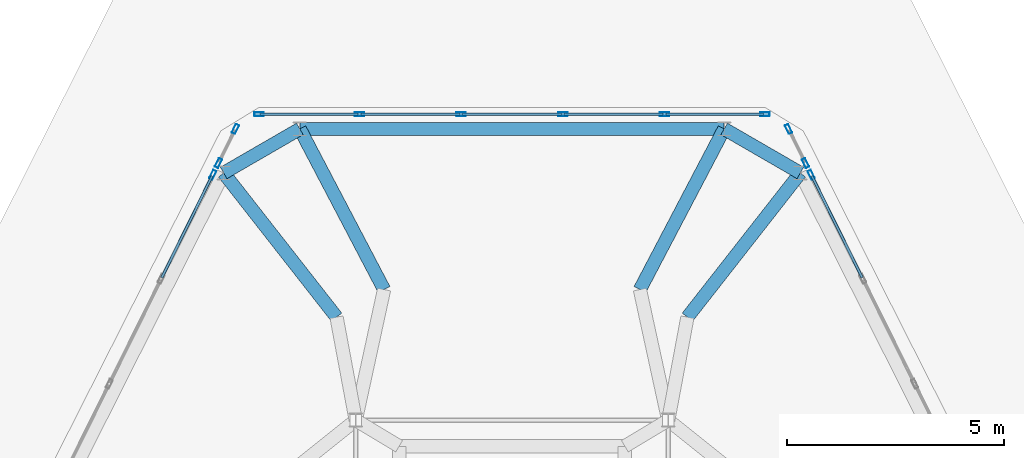
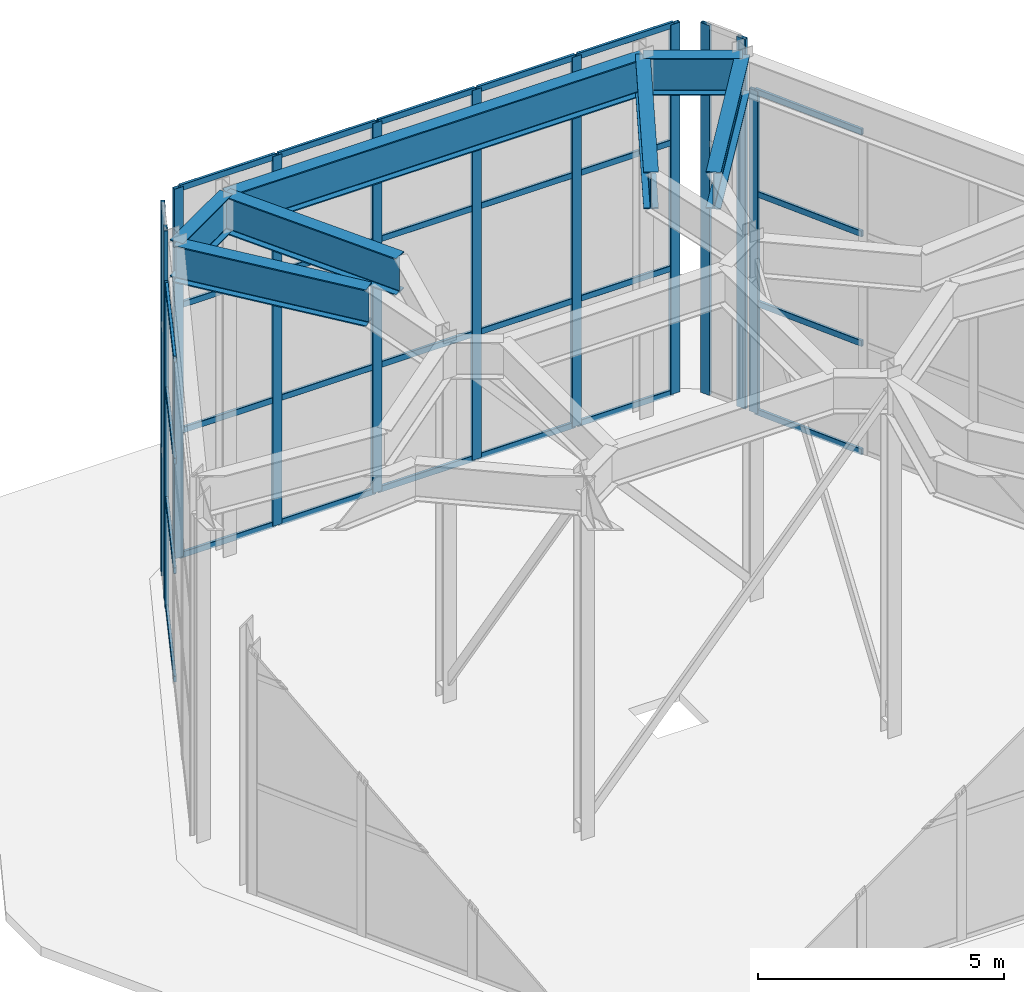
# One storey, part 7 of 9: 40 members, 7 beams, 5 elements without a shape of their own.
"""IFC4 building model written with IfcOpenShell, lengths in metres."""

from ifc_helpers import new_model, si_unit, direction, frame, origin, origin_2d, place, context, subcontext, project, spatial, hollow_rectangle, i_section, extrude, material, layer, layer_set, material_profile, profile_set, type_object, element, aggregate, save


model = new_model("IFC4")

# Units and contexts
model_context = context("Model", 3, precision=1e-05, world=origin(), true_north=direction((0.0, 1.0)))
body_context = subcontext(model_context, "Body", "Model", "MODEL_VIEW")
ifc_project = project(units=[si_unit("LENGTHUNIT", "METRE"), si_unit("AREAUNIT", "SQUARE_METRE"), si_unit("VOLUMEUNIT", "CUBIC_METRE"), si_unit("PLANEANGLEUNIT", "RADIAN"), si_unit("MASSUNIT", "GRAM", prefix="KILO")], contexts=[model_context])

# Site, building, storey
site_placement = place(None, origin())
site = spatial("IfcSite", under=ifc_project, at=site_placement, CompositionType="ELEMENT")
building_placement = place(site_placement, origin())
building = spatial("IfcBuilding", under=site, at=building_placement, Name="Cinnabar Lancet Tower", CompositionType="ELEMENT")
storey_placement = place(building_placement, frame((0.0, 0.0, 323.85009765625)))
storey = spatial("IfcBuildingStorey", under=building, at=storey_placement, Name="L82", CompositionType="ELEMENT", Elevation=323.85009765625)

# Curtain wall, member
ifc_material_1 = material(Name="Thermally broken bronze-anodized aluminium and low-E glass", Category="aluminium")
ifc_layer = layer(ifc_material_1, 0.179931640625)
ifc_layer_set = layer_set([ifc_layer], Name="Thermally broken bronze-anodized aluminium and low-E glass")
curtain_wall_type = type_object("IfcCurtainWallType", Name="ENV-CW-SYS-06", PredefinedType="NOTDEFINED", material=ifc_layer_set)
curtain_wall_1_placement = place(storey_placement, origin())
curtain_wall_1 = element("IfcCurtainWall", 1, at=curtain_wall_1_placement, inside=storey, type_object=curtain_wall_type, Name="L82 Faceted Lancet Crown Curtain Wall 9", PredefinedType="NOTDEFINED")
ifc_material_2 = material(Name="Anodized architectural aluminium 6063-T6", Category="aluminium")
ifc_material_profile_1 = material_profile(ifc_material_2, hollow_rectangle(XDim=0.0849609375, YDim=0.219970703125, WallThickness=0.0048828125, InnerFilletRadius=0.00244140625, OuterFilletRadius=0.007568359375, at=origin_2d()), Name="CW-MUL 220x85x5")
ifc_profile_set_1 = profile_set([ifc_material_profile_1], Name="Anodized architectural aluminium 6063-T6")
member_type_1 = type_object("IfcMemberType", Name="ENV-CW-MUL-220", PredefinedType="MULLION", material=ifc_profile_set_1)
member_1_placement = place(storey_placement, frame((39.29541015625, 34.253173828125, 0.0), z_axis=(0.0, 0.0, 1.0), x_axis=(-0.896196734695, -0.443656863715, 0.0)))
member_1 = element("IfcMember", 2, at=member_1_placement, type_object=member_type_1, Name="CW-06 mullion 4", PredefinedType="MULLION", context=body_context, shape_type="SweptSolid", body=[
    extrude(hollow_rectangle(XDim=0.0849609375, YDim=0.219970703125, WallThickness=0.0048828125, InnerFilletRadius=0.00244140625, OuterFilletRadius=0.007568359375, at=origin_2d()), origin(), (0.0, 0.0, 1.0), 7.996826171875),
])

# Curtain wall, members
curtain_wall_2_placement = place(storey_placement, origin())
curtain_wall_2 = element("IfcCurtainWall", 3, at=curtain_wall_2_placement, inside=storey, type_object=curtain_wall_type, Name="L82 Faceted Lancet Crown Curtain Wall 10", PredefinedType="NOTDEFINED")
member_2_placement = place(storey_placement, frame((39.16162109375, 34.52197265625, 0.0), z_axis=(0.0, 0.0, 1.0), x_axis=(-0.896337400461, -0.443372602374, 0.0)))
member_2 = element("IfcMember", 4, at=member_2_placement, type_object=member_type_1, Name="CW-06 mullion 1", PredefinedType="MULLION", context=body_context, shape_type="SweptSolid", body=[
    extrude(hollow_rectangle(XDim=0.0849609375, YDim=0.219970703125, WallThickness=0.0048828125, InnerFilletRadius=0.00244140625, OuterFilletRadius=0.007568359375, at=origin_2d()), origin(), (0.0, 0.0, 1.0), 9.1748046875),
])
member_3_placement = place(storey_placement, frame((38.772216796875, 35.30908203125, 0.0), z_axis=(0.0, 0.0, 1.0), x_axis=(-0.896337400461, -0.443372602374, 0.0)))
member_3 = element("IfcMember", 5, at=member_3_placement, type_object=member_type_1, Name="CW-06 mullion 2", PredefinedType="MULLION", context=body_context, shape_type="SweptSolid", body=[
    extrude(hollow_rectangle(XDim=0.0849609375, YDim=0.219970703125, WallThickness=0.0048828125, InnerFilletRadius=0.00244140625, OuterFilletRadius=0.007568359375, at=origin_2d()), origin(), (0.0, 0.0, 1.0), 9.1748046875),
])
aggregate(curtain_wall_2, [member_2, member_3])

curtain_wall_3_placement = place(storey_placement, origin())
curtain_wall_3 = element("IfcCurtainWall", 6, at=curtain_wall_3_placement, inside=storey, type_object=curtain_wall_type, Name="L82 Faceted Lancet Crown Curtain Wall 12", PredefinedType="NOTDEFINED")
member_4_placement = place(storey_placement, frame((38.22412109375, 35.64990234375, 0.0), z_axis=(0.0, 0.0, 1.0), x_axis=(0.0, -1.0, 0.0)))
member_4 = element("IfcMember", 7, at=member_4_placement, type_object=member_type_1, Name="CW-06 mullion 1", PredefinedType="MULLION", context=body_context, shape_type="SweptSolid", body=[
    extrude(hollow_rectangle(XDim=0.0849609375, YDim=0.219970703125, WallThickness=0.0048828125, InnerFilletRadius=0.00244140625, OuterFilletRadius=0.007568359375, at=origin_2d()), origin(), (0.0, 0.0, 1.0), 9.1748046875),
])
member_5_placement = place(storey_placement, frame((35.912353515625, 35.64990234375, 0.0), z_axis=(0.0, 0.0, 1.0), x_axis=(0.0, -1.0, 0.0)))
member_5 = element("IfcMember", 8, at=member_5_placement, type_object=member_type_1, Name="CW-06 mullion 2", PredefinedType="MULLION", context=body_context, shape_type="SweptSolid", body=[
    extrude(hollow_rectangle(XDim=0.0849609375, YDim=0.219970703125, WallThickness=0.0048828125, InnerFilletRadius=0.00244140625, OuterFilletRadius=0.007568359375, at=origin_2d()), origin(), (0.0, 0.0, 1.0), 9.1748046875),
])
member_6_placement = place(storey_placement, frame((33.57080078125, 35.64990234375, 0.0), z_axis=(0.0, 0.0, 1.0), x_axis=(0.0, -1.0, 0.0)))
member_6 = element("IfcMember", 9, at=member_6_placement, type_object=member_type_1, Name="CW-06 mullion 3", PredefinedType="MULLION", context=body_context, shape_type="SweptSolid", body=[
    extrude(hollow_rectangle(XDim=0.0849609375, YDim=0.219970703125, WallThickness=0.0048828125, InnerFilletRadius=0.00244140625, OuterFilletRadius=0.007568359375, at=origin_2d()), origin(), (0.0, 0.0, 1.0), 9.1748046875),
])
member_7_placement = place(storey_placement, frame((31.229248046875, 35.64990234375, 0.0), z_axis=(0.0, 0.0, 1.0), x_axis=(0.0, -1.0, 0.0)))
member_7 = element("IfcMember", 10, at=member_7_placement, type_object=member_type_1, Name="CW-06 mullion 4", PredefinedType="MULLION", context=body_context, shape_type="SweptSolid", body=[
    extrude(hollow_rectangle(XDim=0.0849609375, YDim=0.219970703125, WallThickness=0.0048828125, InnerFilletRadius=0.00244140625, OuterFilletRadius=0.007568359375, at=origin_2d()), origin(), (0.0, 0.0, 1.0), 9.1748046875),
])
member_8_placement = place(storey_placement, frame((28.8876953125, 35.64990234375, 0.0), z_axis=(0.0, 0.0, 1.0), x_axis=(0.0, -1.0, 0.0)))
member_8 = element("IfcMember", 11, at=member_8_placement, type_object=member_type_1, Name="CW-06 mullion 5", PredefinedType="MULLION", context=body_context, shape_type="SweptSolid", body=[
    extrude(hollow_rectangle(XDim=0.0849609375, YDim=0.219970703125, WallThickness=0.0048828125, InnerFilletRadius=0.00244140625, OuterFilletRadius=0.007568359375, at=origin_2d()), origin(), (0.0, 0.0, 1.0), 9.1748046875),
])
member_9_placement = place(storey_placement, frame((26.575927734375, 35.64990234375, 0.0), z_axis=(0.0, 0.0, 1.0), x_axis=(0.0, -1.0, 0.0)))
member_9 = element("IfcMember", 12, at=member_9_placement, type_object=member_type_1, Name="CW-06 mullion 6", PredefinedType="MULLION", context=body_context, shape_type="SweptSolid", body=[
    extrude(hollow_rectangle(XDim=0.0849609375, YDim=0.219970703125, WallThickness=0.0048828125, InnerFilletRadius=0.00244140625, OuterFilletRadius=0.007568359375, at=origin_2d()), origin(), (0.0, 0.0, 1.0), 9.1748046875),
])

curtain_wall_4_placement = place(storey_placement, origin())
curtain_wall_4 = element("IfcCurtainWall", 13, at=curtain_wall_4_placement, inside=storey, type_object=curtain_wall_type, Name="L82 Faceted Lancet Crown Curtain Wall 14", PredefinedType="NOTDEFINED")
member_10_placement = place(storey_placement, frame((26.027587890625, 35.30908203125, 0.0), z_axis=(0.0, 0.0, 1.0), x_axis=(0.896337400461, -0.443372602374, 0.0)))
member_10 = element("IfcMember", 14, at=member_10_placement, type_object=member_type_1, Name="CW-06 mullion 1", PredefinedType="MULLION", context=body_context, shape_type="SweptSolid", body=[
    extrude(hollow_rectangle(XDim=0.0849609375, YDim=0.219970703125, WallThickness=0.0048828125, InnerFilletRadius=0.00244140625, OuterFilletRadius=0.007568359375, at=origin_2d()), origin(), (0.0, 0.0, 1.0), 9.1748046875),
])
member_11_placement = place(storey_placement, frame((25.63818359375, 34.52197265625, 0.0), z_axis=(0.0, 0.0, 1.0), x_axis=(0.896337400461, -0.443372602374, 0.0)))
member_11 = element("IfcMember", 15, at=member_11_placement, type_object=member_type_1, Name="CW-06 mullion 2", PredefinedType="MULLION", context=body_context, shape_type="SweptSolid", body=[
    extrude(hollow_rectangle(XDim=0.0849609375, YDim=0.219970703125, WallThickness=0.0048828125, InnerFilletRadius=0.00244140625, OuterFilletRadius=0.007568359375, at=origin_2d()), origin(), (0.0, 0.0, 1.0), 9.1748046875),
])
aggregate(curtain_wall_4, [member_10, member_11])

# Curtain wall, member
curtain_wall_5_placement = place(storey_placement, origin())
curtain_wall_5 = element("IfcCurtainWall", 16, at=curtain_wall_5_placement, inside=storey, type_object=curtain_wall_type, Name="L82 Faceted Lancet Crown Curtain Wall 15", PredefinedType="NOTDEFINED")
member_12_placement = place(storey_placement, frame((25.504638671875, 34.253173828125, 0.0), z_axis=(0.0, 0.0, 1.0), x_axis=(0.896196734695, -0.443656863715, 0.0)))
member_12 = element("IfcMember", 17, at=member_12_placement, type_object=member_type_1, Name="CW-06 mullion 1", PredefinedType="MULLION", context=body_context, shape_type="SweptSolid", body=[
    extrude(hollow_rectangle(XDim=0.0849609375, YDim=0.219970703125, WallThickness=0.0048828125, InnerFilletRadius=0.00244140625, OuterFilletRadius=0.007568359375, at=origin_2d()), origin(), (0.0, 0.0, 1.0), 7.996826171875),
])

# Member
ifc_material_3 = material(Name="Anodized architectural aluminium 6063-T6", Category="aluminium")
ifc_material_profile_2 = material_profile(ifc_material_3, hollow_rectangle(XDim=0.06494140625, YDim=0.14990234375, WallThickness=0.00390625, InnerFilletRadius=0.001953125, OuterFilletRadius=0.006103515625, at=origin_2d()), Name="CW-TRN 150x65x4")
ifc_profile_set_2 = profile_set([ifc_material_profile_2], Name="Anodized architectural aluminium 6063-T6")
member_type_2 = type_object("IfcMemberType", Name="ENV-CW-TRN-160", PredefinedType="USERDEFINED", material=ifc_profile_set_2)
member_13_placement = place(storey_placement, frame((40.46728515625, 31.885498046875, 0.02978515625), z_axis=(-0.443620649138, 0.896214661595, 0.0), x_axis=(-0.896214661595, -0.443620649138, 0.0)))
member_13 = element("IfcMember", 18, at=member_13_placement, type_object=member_type_2, Name="CW-06 transom 3.1", ObjectType="TRANSOM", PredefinedType="USERDEFINED", context=body_context, shape_type="SweptSolid", body=[
    extrude(hollow_rectangle(XDim=0.06494140625, YDim=0.14990234375, WallThickness=0.00390625, InnerFilletRadius=0.001953125, OuterFilletRadius=0.006103515625, at=origin_2d()), origin(), (0.0, 0.0, 1.0), 2.61181640625),
])

member_14_placement = place(storey_placement, frame((40.46728515625, 31.885498046875, 2.718994140625), z_axis=(-0.443620649138, 0.896214661595, 0.0), x_axis=(-0.896214661595, -0.443620649138, 0.0)))
member_14 = element("IfcMember", 19, at=member_14_placement, type_object=member_type_2, Name="CW-06 transom 3.2", ObjectType="TRANSOM", PredefinedType="USERDEFINED", context=body_context, shape_type="SweptSolid", body=[
    extrude(hollow_rectangle(XDim=0.06494140625, YDim=0.14990234375, WallThickness=0.00390625, InnerFilletRadius=0.001953125, OuterFilletRadius=0.006103515625, at=origin_2d()), origin(), (0.0, 0.0, 1.0), 2.61181640625),
])

member_15_placement = place(storey_placement, frame((40.46728515625, 31.885498046875, 5.43798828125), z_axis=(-0.443620649138, 0.896214661595, 0.0), x_axis=(-0.896214661595, -0.443620649138, 0.0)))
member_15 = element("IfcMember", 20, at=member_15_placement, type_object=member_type_2, Name="CW-06 transom 3.3", ObjectType="TRANSOM", PredefinedType="USERDEFINED", context=body_context, shape_type="SweptSolid", body=[
    extrude(hollow_rectangle(XDim=0.06494140625, YDim=0.14990234375, WallThickness=0.00390625, InnerFilletRadius=0.001953125, OuterFilletRadius=0.006103515625, at=origin_2d()), origin(), (0.0, 0.0, 1.0), 2.61181640625),
])

member_16_placement = place(storey_placement, frame((40.46728515625, 31.885498046875, 7.966796875), z_axis=(-0.443620649138, 0.896214661595, 0.0), x_axis=(-0.896214661595, -0.443620649138, 0.0)))
member_16 = element("IfcMember", 21, at=member_16_placement, type_object=member_type_2, Name="CW-06 transom 3.4", ObjectType="TRANSOM", PredefinedType="USERDEFINED", context=body_context, shape_type="SweptSolid", body=[
    extrude(hollow_rectangle(XDim=0.06494140625, YDim=0.14990234375, WallThickness=0.00390625, InnerFilletRadius=0.001953125, OuterFilletRadius=0.006103515625, at=origin_2d()), origin(), (0.0, 0.0, 1.0), 2.61181640625),
])

aggregate(curtain_wall_1, [member_1, member_13, member_14, member_15, member_16])

member_17_placement = place(storey_placement, frame((38.194091796875, 35.64990234375, 0.02978515625), z_axis=(-1.0, 0.0, 0.0), x_axis=(0.0, -1.0, 0.0)))
member_17 = element("IfcMember", 22, at=member_17_placement, type_object=member_type_2, Name="CW-06 transom 1.1", ObjectType="TRANSOM", PredefinedType="USERDEFINED", context=body_context, shape_type="SweptSolid", body=[
    extrude(hollow_rectangle(XDim=0.06494140625, YDim=0.14990234375, WallThickness=0.00390625, InnerFilletRadius=0.001953125, OuterFilletRadius=0.006103515625, at=origin_2d()), origin(), (0.0, 0.0, 1.0), 2.251708984375),
])

member_18_placement = place(storey_placement, frame((38.194091796875, 35.64990234375, 3.118896484375), z_axis=(-1.0, 0.0, 0.0), x_axis=(0.0, -1.0, 0.0)))
member_18 = element("IfcMember", 23, at=member_18_placement, type_object=member_type_2, Name="CW-06 transom 1.2", ObjectType="TRANSOM", PredefinedType="USERDEFINED", context=body_context, shape_type="SweptSolid", body=[
    extrude(hollow_rectangle(XDim=0.06494140625, YDim=0.14990234375, WallThickness=0.00390625, InnerFilletRadius=0.001953125, OuterFilletRadius=0.006103515625, at=origin_2d()), origin(), (0.0, 0.0, 1.0), 2.251708984375),
])

member_19_placement = place(storey_placement, frame((38.194091796875, 35.64990234375, 6.239013671875), z_axis=(-1.0, 0.0, 0.0), x_axis=(0.0, -1.0, 0.0)))
member_19 = element("IfcMember", 24, at=member_19_placement, type_object=member_type_2, Name="CW-06 transom 1.3", ObjectType="TRANSOM", PredefinedType="USERDEFINED", context=body_context, shape_type="SweptSolid", body=[
    extrude(hollow_rectangle(XDim=0.06494140625, YDim=0.14990234375, WallThickness=0.00390625, InnerFilletRadius=0.001953125, OuterFilletRadius=0.006103515625, at=origin_2d()), origin(), (0.0, 0.0, 1.0), 2.251708984375),
])

member_20_placement = place(storey_placement, frame((38.194091796875, 35.64990234375, 9.14501953125), z_axis=(-1.0, 0.0, 0.0), x_axis=(0.0, -1.0, 0.0)))
member_20 = element("IfcMember", 25, at=member_20_placement, type_object=member_type_2, Name="CW-06 transom 1.4", ObjectType="TRANSOM", PredefinedType="USERDEFINED", context=body_context, shape_type="SweptSolid", body=[
    extrude(hollow_rectangle(XDim=0.06494140625, YDim=0.14990234375, WallThickness=0.00390625, InnerFilletRadius=0.001953125, OuterFilletRadius=0.006103515625, at=origin_2d()), origin(), (0.0, 0.0, 1.0), 2.251708984375),
])

member_21_placement = place(storey_placement, frame((35.88232421875, 35.64990234375, 0.02978515625), z_axis=(-1.0, 0.0, 0.0), x_axis=(0.0, -1.0, 0.0)))
member_21 = element("IfcMember", 26, at=member_21_placement, type_object=member_type_2, Name="CW-06 transom 2.1", ObjectType="TRANSOM", PredefinedType="USERDEFINED", context=body_context, shape_type="SweptSolid", body=[
    extrude(hollow_rectangle(XDim=0.06494140625, YDim=0.14990234375, WallThickness=0.00390625, InnerFilletRadius=0.001953125, OuterFilletRadius=0.006103515625, at=origin_2d()), origin(), (0.0, 0.0, 1.0), 2.281494140625),
])

member_22_placement = place(storey_placement, frame((35.88232421875, 35.64990234375, 3.118896484375), z_axis=(-1.0, 0.0, 0.0), x_axis=(0.0, -1.0, 0.0)))
member_22 = element("IfcMember", 27, at=member_22_placement, type_object=member_type_2, Name="CW-06 transom 2.2", ObjectType="TRANSOM", PredefinedType="USERDEFINED", context=body_context, shape_type="SweptSolid", body=[
    extrude(hollow_rectangle(XDim=0.06494140625, YDim=0.14990234375, WallThickness=0.00390625, InnerFilletRadius=0.001953125, OuterFilletRadius=0.006103515625, at=origin_2d()), origin(), (0.0, 0.0, 1.0), 2.281494140625),
])

member_23_placement = place(storey_placement, frame((35.88232421875, 35.64990234375, 6.239013671875), z_axis=(-1.0, 0.0, 0.0), x_axis=(0.0, -1.0, 0.0)))
member_23 = element("IfcMember", 28, at=member_23_placement, type_object=member_type_2, Name="CW-06 transom 2.3", ObjectType="TRANSOM", PredefinedType="USERDEFINED", context=body_context, shape_type="SweptSolid", body=[
    extrude(hollow_rectangle(XDim=0.06494140625, YDim=0.14990234375, WallThickness=0.00390625, InnerFilletRadius=0.001953125, OuterFilletRadius=0.006103515625, at=origin_2d()), origin(), (0.0, 0.0, 1.0), 2.281494140625),
])

member_24_placement = place(storey_placement, frame((35.88232421875, 35.64990234375, 9.14501953125), z_axis=(-1.0, 0.0, 0.0), x_axis=(0.0, -1.0, 0.0)))
member_24 = element("IfcMember", 29, at=member_24_placement, type_object=member_type_2, Name="CW-06 transom 2.4", ObjectType="TRANSOM", PredefinedType="USERDEFINED", context=body_context, shape_type="SweptSolid", body=[
    extrude(hollow_rectangle(XDim=0.06494140625, YDim=0.14990234375, WallThickness=0.00390625, InnerFilletRadius=0.001953125, OuterFilletRadius=0.006103515625, at=origin_2d()), origin(), (0.0, 0.0, 1.0), 2.281494140625),
])

member_25_placement = place(storey_placement, frame((33.540771484375, 35.64990234375, 0.02978515625), z_axis=(-1.0, 0.0, 0.0), x_axis=(0.0, -1.0, 0.0)))
member_25 = element("IfcMember", 30, at=member_25_placement, type_object=member_type_2, Name="CW-06 transom 3.1", ObjectType="TRANSOM", PredefinedType="USERDEFINED", context=body_context, shape_type="SweptSolid", body=[
    extrude(hollow_rectangle(XDim=0.06494140625, YDim=0.14990234375, WallThickness=0.00390625, InnerFilletRadius=0.001953125, OuterFilletRadius=0.006103515625, at=origin_2d()), origin(), (0.0, 0.0, 1.0), 2.281494140625),
])

member_26_placement = place(storey_placement, frame((33.540771484375, 35.64990234375, 3.118896484375), z_axis=(-1.0, 0.0, 0.0), x_axis=(0.0, -1.0, 0.0)))
member_26 = element("IfcMember", 31, at=member_26_placement, type_object=member_type_2, Name="CW-06 transom 3.2", ObjectType="TRANSOM", PredefinedType="USERDEFINED", context=body_context, shape_type="SweptSolid", body=[
    extrude(hollow_rectangle(XDim=0.06494140625, YDim=0.14990234375, WallThickness=0.00390625, InnerFilletRadius=0.001953125, OuterFilletRadius=0.006103515625, at=origin_2d()), origin(), (0.0, 0.0, 1.0), 2.281494140625),
])

member_27_placement = place(storey_placement, frame((33.540771484375, 35.64990234375, 6.239013671875), z_axis=(-1.0, 0.0, 0.0), x_axis=(0.0, -1.0, 0.0)))
member_27 = element("IfcMember", 32, at=member_27_placement, type_object=member_type_2, Name="CW-06 transom 3.3", ObjectType="TRANSOM", PredefinedType="USERDEFINED", context=body_context, shape_type="SweptSolid", body=[
    extrude(hollow_rectangle(XDim=0.06494140625, YDim=0.14990234375, WallThickness=0.00390625, InnerFilletRadius=0.001953125, OuterFilletRadius=0.006103515625, at=origin_2d()), origin(), (0.0, 0.0, 1.0), 2.281494140625),
])

member_28_placement = place(storey_placement, frame((33.540771484375, 35.64990234375, 9.14501953125), z_axis=(-1.0, 0.0, 0.0), x_axis=(0.0, -1.0, 0.0)))
member_28 = element("IfcMember", 33, at=member_28_placement, type_object=member_type_2, Name="CW-06 transom 3.4", ObjectType="TRANSOM", PredefinedType="USERDEFINED", context=body_context, shape_type="SweptSolid", body=[
    extrude(hollow_rectangle(XDim=0.06494140625, YDim=0.14990234375, WallThickness=0.00390625, InnerFilletRadius=0.001953125, OuterFilletRadius=0.006103515625, at=origin_2d()), origin(), (0.0, 0.0, 1.0), 2.281494140625),
])

member_29_placement = place(storey_placement, frame((31.19921875, 35.64990234375, 0.02978515625), z_axis=(-1.0, 0.0, 0.0), x_axis=(0.0, -1.0, 0.0)))
member_29 = element("IfcMember", 34, at=member_29_placement, type_object=member_type_2, Name="CW-06 transom 4.1", ObjectType="TRANSOM", PredefinedType="USERDEFINED", context=body_context, shape_type="SweptSolid", body=[
    extrude(hollow_rectangle(XDim=0.06494140625, YDim=0.14990234375, WallThickness=0.00390625, InnerFilletRadius=0.001953125, OuterFilletRadius=0.006103515625, at=origin_2d()), origin(), (0.0, 0.0, 1.0), 2.28173828125),
])

member_30_placement = place(storey_placement, frame((31.19921875, 35.64990234375, 3.118896484375), z_axis=(-1.0, 0.0, 0.0), x_axis=(0.0, -1.0, 0.0)))
member_30 = element("IfcMember", 35, at=member_30_placement, type_object=member_type_2, Name="CW-06 transom 4.2", ObjectType="TRANSOM", PredefinedType="USERDEFINED", context=body_context, shape_type="SweptSolid", body=[
    extrude(hollow_rectangle(XDim=0.06494140625, YDim=0.14990234375, WallThickness=0.00390625, InnerFilletRadius=0.001953125, OuterFilletRadius=0.006103515625, at=origin_2d()), origin(), (0.0, 0.0, 1.0), 2.28173828125),
])

member_31_placement = place(storey_placement, frame((31.19921875, 35.64990234375, 6.239013671875), z_axis=(-1.0, 0.0, 0.0), x_axis=(0.0, -1.0, 0.0)))
member_31 = element("IfcMember", 36, at=member_31_placement, type_object=member_type_2, Name="CW-06 transom 4.3", ObjectType="TRANSOM", PredefinedType="USERDEFINED", context=body_context, shape_type="SweptSolid", body=[
    extrude(hollow_rectangle(XDim=0.06494140625, YDim=0.14990234375, WallThickness=0.00390625, InnerFilletRadius=0.001953125, OuterFilletRadius=0.006103515625, at=origin_2d()), origin(), (0.0, 0.0, 1.0), 2.28173828125),
])

member_32_placement = place(storey_placement, frame((31.19921875, 35.64990234375, 9.14501953125), z_axis=(-1.0, 0.0, 0.0), x_axis=(0.0, -1.0, 0.0)))
member_32 = element("IfcMember", 37, at=member_32_placement, type_object=member_type_2, Name="CW-06 transom 4.4", ObjectType="TRANSOM", PredefinedType="USERDEFINED", context=body_context, shape_type="SweptSolid", body=[
    extrude(hollow_rectangle(XDim=0.06494140625, YDim=0.14990234375, WallThickness=0.00390625, InnerFilletRadius=0.001953125, OuterFilletRadius=0.006103515625, at=origin_2d()), origin(), (0.0, 0.0, 1.0), 2.28173828125),
])

member_33_placement = place(storey_placement, frame((28.857666015625, 35.64990234375, 0.02978515625), z_axis=(-1.0, 0.0, 0.0), x_axis=(0.0, -1.0, 0.0)))
member_33 = element("IfcMember", 38, at=member_33_placement, type_object=member_type_2, Name="CW-06 transom 5.1", ObjectType="TRANSOM", PredefinedType="USERDEFINED", context=body_context, shape_type="SweptSolid", body=[
    extrude(hollow_rectangle(XDim=0.06494140625, YDim=0.14990234375, WallThickness=0.00390625, InnerFilletRadius=0.001953125, OuterFilletRadius=0.006103515625, at=origin_2d()), origin(), (0.0, 0.0, 1.0), 2.251708984375),
])

member_34_placement = place(storey_placement, frame((28.857666015625, 35.64990234375, 3.118896484375), z_axis=(-1.0, 0.0, 0.0), x_axis=(0.0, -1.0, 0.0)))
member_34 = element("IfcMember", 39, at=member_34_placement, type_object=member_type_2, Name="CW-06 transom 5.2", ObjectType="TRANSOM", PredefinedType="USERDEFINED", context=body_context, shape_type="SweptSolid", body=[
    extrude(hollow_rectangle(XDim=0.06494140625, YDim=0.14990234375, WallThickness=0.00390625, InnerFilletRadius=0.001953125, OuterFilletRadius=0.006103515625, at=origin_2d()), origin(), (0.0, 0.0, 1.0), 2.251708984375),
])

member_35_placement = place(storey_placement, frame((28.857666015625, 35.64990234375, 6.239013671875), z_axis=(-1.0, 0.0, 0.0), x_axis=(0.0, -1.0, 0.0)))
member_35 = element("IfcMember", 40, at=member_35_placement, type_object=member_type_2, Name="CW-06 transom 5.3", ObjectType="TRANSOM", PredefinedType="USERDEFINED", context=body_context, shape_type="SweptSolid", body=[
    extrude(hollow_rectangle(XDim=0.06494140625, YDim=0.14990234375, WallThickness=0.00390625, InnerFilletRadius=0.001953125, OuterFilletRadius=0.006103515625, at=origin_2d()), origin(), (0.0, 0.0, 1.0), 2.251708984375),
])

member_36_placement = place(storey_placement, frame((28.857666015625, 35.64990234375, 9.14501953125), z_axis=(-1.0, 0.0, 0.0), x_axis=(0.0, -1.0, 0.0)))
member_36 = element("IfcMember", 41, at=member_36_placement, type_object=member_type_2, Name="CW-06 transom 5.4", ObjectType="TRANSOM", PredefinedType="USERDEFINED", context=body_context, shape_type="SweptSolid", body=[
    extrude(hollow_rectangle(XDim=0.06494140625, YDim=0.14990234375, WallThickness=0.00390625, InnerFilletRadius=0.001953125, OuterFilletRadius=0.006103515625, at=origin_2d()), origin(), (0.0, 0.0, 1.0), 2.251708984375),
])

aggregate(curtain_wall_3, [member_4, member_5, member_6, member_7, member_8, member_9, member_17, member_18, member_19, member_20, member_21, member_22, member_23, member_24, member_25, member_26, member_27, member_28, member_29, member_30, member_31, member_32, member_33, member_34, member_35, member_36])

member_37_placement = place(storey_placement, frame((25.491455078125, 34.226318359375, 0.02978515625), z_axis=(-0.443620649138, -0.896214661595, 0.0), x_axis=(0.896214661595, -0.443620649138, 0.0)))
member_37 = element("IfcMember", 42, at=member_37_placement, type_object=member_type_2, Name="CW-06 transom 1.1", ObjectType="TRANSOM", PredefinedType="USERDEFINED", context=body_context, shape_type="SweptSolid", body=[
    extrude(hollow_rectangle(XDim=0.06494140625, YDim=0.14990234375, WallThickness=0.00390625, InnerFilletRadius=0.001953125, OuterFilletRadius=0.006103515625, at=origin_2d()), origin(), (0.0, 0.0, 1.0), 2.61181640625),
])

member_38_placement = place(storey_placement, frame((25.491455078125, 34.226318359375, 2.718994140625), z_axis=(-0.443620649138, -0.896214661595, 0.0), x_axis=(0.896214661595, -0.443620649138, 0.0)))
member_38 = element("IfcMember", 43, at=member_38_placement, type_object=member_type_2, Name="CW-06 transom 1.2", ObjectType="TRANSOM", PredefinedType="USERDEFINED", context=body_context, shape_type="SweptSolid", body=[
    extrude(hollow_rectangle(XDim=0.06494140625, YDim=0.14990234375, WallThickness=0.00390625, InnerFilletRadius=0.001953125, OuterFilletRadius=0.006103515625, at=origin_2d()), origin(), (0.0, 0.0, 1.0), 2.61181640625),
])

member_39_placement = place(storey_placement, frame((25.491455078125, 34.226318359375, 5.43798828125), z_axis=(-0.443620649138, -0.896214661595, 0.0), x_axis=(0.896214661595, -0.443620649138, 0.0)))
member_39 = element("IfcMember", 44, at=member_39_placement, type_object=member_type_2, Name="CW-06 transom 1.3", ObjectType="TRANSOM", PredefinedType="USERDEFINED", context=body_context, shape_type="SweptSolid", body=[
    extrude(hollow_rectangle(XDim=0.06494140625, YDim=0.14990234375, WallThickness=0.00390625, InnerFilletRadius=0.001953125, OuterFilletRadius=0.006103515625, at=origin_2d()), origin(), (0.0, 0.0, 1.0), 2.61181640625),
])

member_40_placement = place(storey_placement, frame((25.491455078125, 34.226318359375, 7.966796875), z_axis=(-0.443620649138, -0.896214661595, 0.0), x_axis=(0.896214661595, -0.443620649138, 0.0)))
member_40 = element("IfcMember", 45, at=member_40_placement, type_object=member_type_2, Name="CW-06 transom 1.4", ObjectType="TRANSOM", PredefinedType="USERDEFINED", context=body_context, shape_type="SweptSolid", body=[
    extrude(hollow_rectangle(XDim=0.06494140625, YDim=0.14990234375, WallThickness=0.00390625, InnerFilletRadius=0.001953125, OuterFilletRadius=0.006103515625, at=origin_2d()), origin(), (0.0, 0.0, 1.0), 2.61181640625),
])

aggregate(curtain_wall_5, [member_12, member_37, member_38, member_39, member_40])

# Beams
ifc_material_4 = material(Name="Structural steel S355", Category="steel")
ifc_material_profile_3 = material_profile(ifc_material_4, i_section(OverallWidth=0.305419921875, OverallDepth=0.91845703125, WebThickness=0.017333984375, FlangeThickness=0.02783203125, FilletRadius=0.01904296875, at=origin_2d()), Name="UKB 914x305x253")
ifc_profile_set_3 = profile_set([ifc_material_profile_3], Name="Structural steel S355")
beam_type = type_object("IfcBeamType", Name="STR-BM-UKB914-253", PredefinedType="BEAM", material=ifc_profile_set_3)
beam_1_placement = place(storey_placement, frame((39.04296875, 34.2958984375, 8.4658203125), z_axis=(-0.865607614277, 0.500722935471, 0.0), x_axis=(-0.500722935471, -0.865607614277, 0.0)))
element("IfcBeam", 46, at=beam_1_placement, inside=storey, type_object=beam_type, Name="L83 Setback Outer Ring Girder 6", PredefinedType="BEAM", context=body_context, shape_type="SweptSolid", body=[
    extrude(i_section(OverallWidth=0.305419921875, OverallDepth=0.91845703125, WebThickness=0.017333984375, FlangeThickness=0.02783203125, FilletRadius=0.01904296875, at=origin_2d()), origin(), (0.0, 0.0, 1.0), 2.02734375),
])
beam_2_placement = place(storey_placement, frame((37.2880859375, 35.31103515625, 8.4658203125), z_axis=(-1.0, 0.0, 0.0), x_axis=(0.0, -1.0, 0.0)))
element("IfcBeam", 47, at=beam_2_placement, inside=storey, type_object=beam_type, Name="L83 Setback Outer Ring Girder 7", PredefinedType="BEAM", context=body_context, shape_type="SweptSolid", body=[
    extrude(i_section(OverallWidth=0.305419921875, OverallDepth=0.91845703125, WebThickness=0.017333984375, FlangeThickness=0.02783203125, FilletRadius=0.01904296875, at=origin_2d()), origin(), (0.0, 0.0, 1.0), 9.776123046875),
])
beam_3_placement = place(storey_placement, frame((27.511962890625, 35.31103515625, 8.4658203125), z_axis=(-0.865607614277, -0.500722935471, 0.0), x_axis=(0.500722935471, -0.865607614277, 0.0)))
element("IfcBeam", 48, at=beam_3_placement, inside=storey, type_object=beam_type, Name="L83 Setback Outer Ring Girder 8", PredefinedType="BEAM", context=body_context, shape_type="SweptSolid", body=[
    extrude(i_section(OverallWidth=0.305419921875, OverallDepth=0.91845703125, WebThickness=0.017333984375, FlangeThickness=0.02783203125, FilletRadius=0.01904296875, at=origin_2d()), origin(), (0.0, 0.0, 1.0), 2.02734375),
])
beam_4_placement = place(storey_placement, frame((39.04296875, 34.2958984375, 8.4658203125), z_axis=(-0.616517321719, -0.787341344031, 0.0), x_axis=(0.787341344031, -0.616517321719, 0.0)))
element("IfcBeam", 49, at=beam_4_placement, inside=storey, type_object=beam_type, Name="L83 Crown Setback Strut Girder 6", PredefinedType="BEAM", context=body_context, shape_type="SweptSolid", body=[
    extrude(i_section(OverallWidth=0.305419921875, OverallDepth=0.91845703125, WebThickness=0.017333984375, FlangeThickness=0.02783203125, FilletRadius=0.01904296875, at=origin_2d()), origin(), (0.0, 0.0, 1.0), 4.218994140625),
])
beam_5_placement = place(storey_placement, frame((37.2880859375, 35.31103515625, 8.4658203125), z_axis=(-0.464491534825, -0.885577559605, 0.0), x_axis=(0.885577559605, -0.464491534825, 0.0)))
element("IfcBeam", 50, at=beam_5_placement, inside=storey, type_object=beam_type, Name="L83 Crown Setback Strut Girder 7", PredefinedType="BEAM", context=body_context, shape_type="SweptSolid", body=[
    extrude(i_section(OverallWidth=0.305419921875, OverallDepth=0.91845703125, WebThickness=0.017333984375, FlangeThickness=0.02783203125, FilletRadius=0.01904296875, at=origin_2d()), origin(), (0.0, 0.0, 1.0), 4.17919921875),
])
beam_6_placement = place(storey_placement, frame((27.511962890625, 35.31103515625, 8.4658203125), z_axis=(0.464445717795, -0.885601589442, 0.0), x_axis=(0.885601589442, 0.464445717795, 0.0)))
element("IfcBeam", 51, at=beam_6_placement, inside=storey, type_object=beam_type, Name="L83 Crown Setback Strut Girder 8", PredefinedType="BEAM", context=body_context, shape_type="SweptSolid", body=[
    extrude(i_section(OverallWidth=0.305419921875, OverallDepth=0.91845703125, WebThickness=0.017333984375, FlangeThickness=0.02783203125, FilletRadius=0.01904296875, at=origin_2d()), origin(), (0.0, 0.0, 1.0), 4.178955078125),
])
beam_7_placement = place(storey_placement, frame((25.757080078125, 34.2958984375, 8.4658203125), z_axis=(0.616481447542, -0.787369433517, 0.0), x_axis=(0.787369433517, 0.616481447542, 0.0)))
element("IfcBeam", 52, at=beam_7_placement, inside=storey, type_object=beam_type, Name="L83 Crown Setback Strut Girder 9", PredefinedType="BEAM", context=body_context, shape_type="SweptSolid", body=[
    extrude(i_section(OverallWidth=0.305419921875, OverallDepth=0.91845703125, WebThickness=0.017333984375, FlangeThickness=0.02783203125, FilletRadius=0.01904296875, at=origin_2d()), origin(), (0.0, 0.0, 1.0), 4.21875),
])

save(model, "model.ifc")
